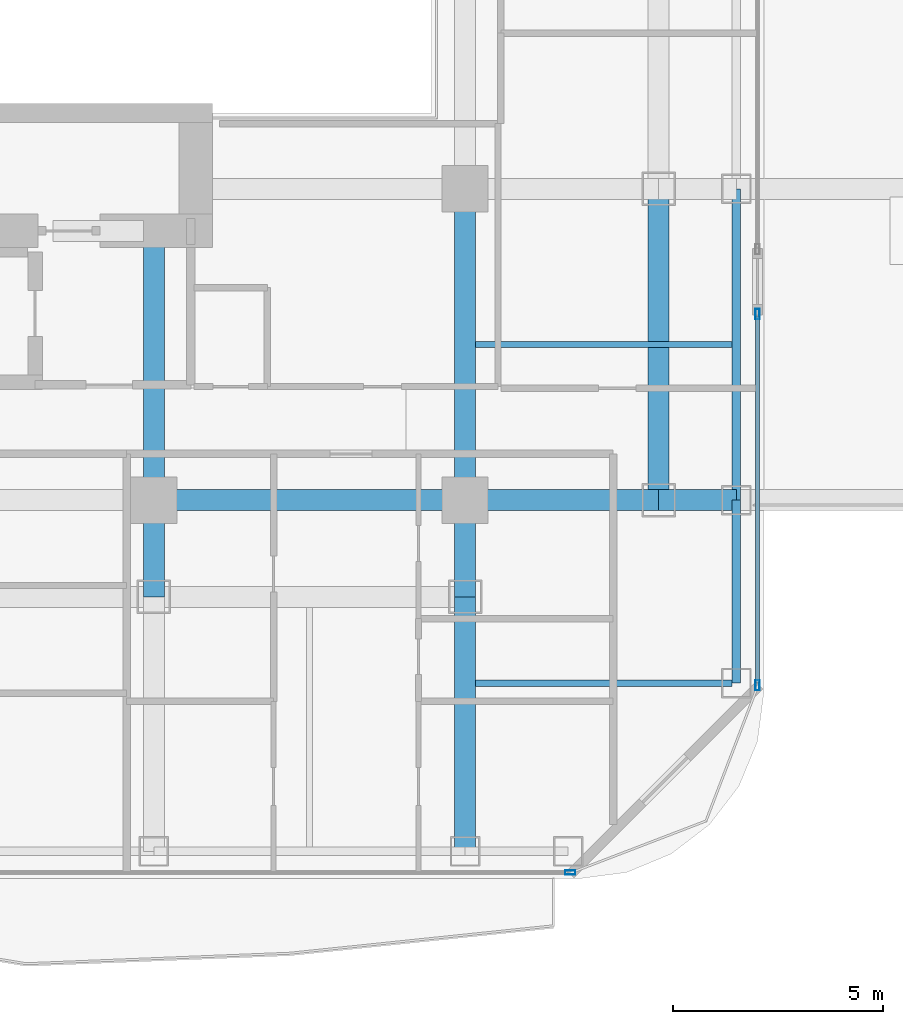
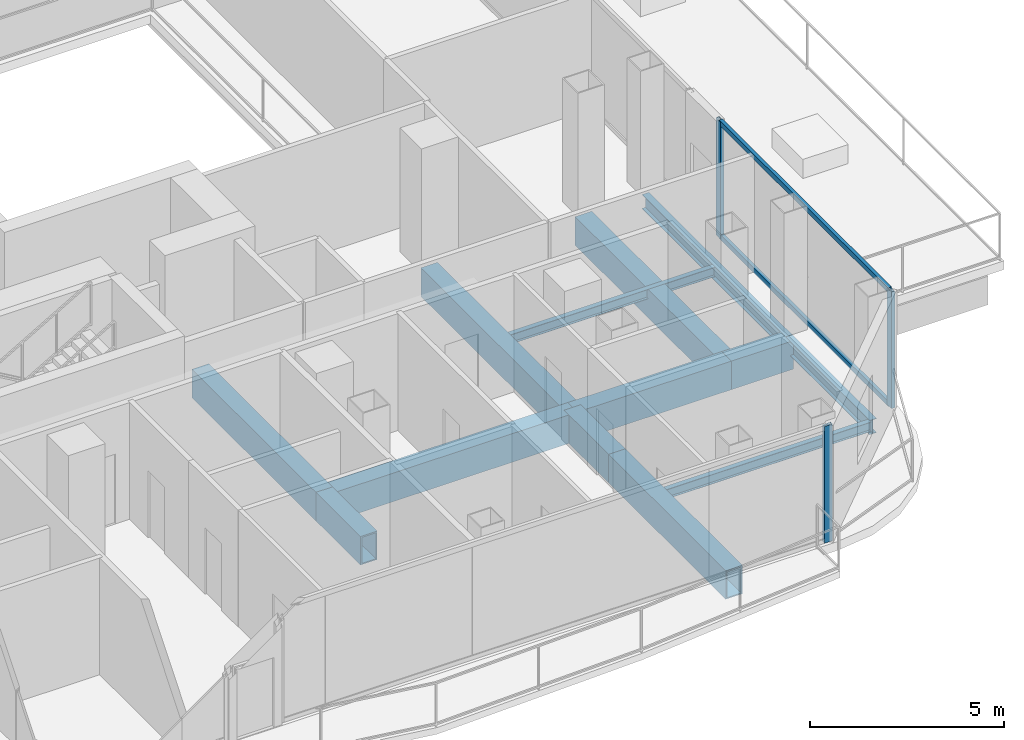
# One storey, part 7 of 27: 13 beams, 5 members, 2 elements without a shape of their own.
"""IFC4 building model written with IfcOpenShell, lengths in metres."""

import ifcopenshell
import ifcopenshell.guid

model = None  # the IFC model being written
_history = None  # IfcOwnerHistory: only IFC2X3 demands one
_inside = {}  # id of a spatial element -> (the spatial element, [elements in it])
_under = {}  # id of a project, library or spatial element -> (it, [spatial elements below it])
_declared = {}  # id of a project -> (the project, [libraries it declares])
_typed = {}  # id of a type object -> (the type object, [elements of that type])
_made_of = {}  # id of a material, layer set ... -> (it, [elements and type objects made of it])


def new_model(schema):
    """Start an empty IFC model of exactly this schema.

    Asked for "IFC4X3", IfcOpenShell would pick the latest addendum, in which some entities
    have other attributes; the version numbers below select the first issue.
    IFC2X3 requires an IfcOwnerHistory on every rooted entity: one is made here for all.
    """
    global model, _history
    if schema == "IFC4X3":
        model = ifcopenshell.file(schema_version=(4, 3, 0, 0))
    else:
        model = ifcopenshell.file(schema=schema)
    _inside.clear()
    _under.clear()
    _declared.clear()
    _typed.clear()
    _made_of.clear()
    _history = None
    if model.schema == "IFC2X3":
        org = make("IfcOrganization", Name="unknown")
        user = make(
            "IfcPersonAndOrganization",
            ThePerson=make("IfcPerson", FamilyName="unknown"),
            TheOrganization=org,
        )
        app = make(
            "IfcApplication",
            ApplicationDeveloper=org,
            Version="unknown",
            ApplicationFullName="unknown",
            ApplicationIdentifier="unknown",
        )
        _history = make(
            "IfcOwnerHistory",
            OwningUser=user,
            OwningApplication=app,
            ChangeAction="ADDED",
            CreationDate=0,
        )
    return model


def make(cls, **values):
    """One entity of the class cls with the attributes given. An attribute that is None is left unset."""
    return model.create_entity(
        cls, **{name: value for name, value in values.items() if value is not None}
    )


def rooted(cls, **values):
    """An entity with a GlobalId (a new one), such as an element, a storey or a relation."""
    return make(cls, GlobalId=ifcopenshell.guid.new(), OwnerHistory=_history, **values)


def si_unit(unit_type, name, prefix=None):
    """IfcSIUnit, for example si_unit("LENGTHUNIT", "METRE", prefix="MILLI")."""
    return make("IfcSIUnit", UnitType=unit_type, Prefix=prefix, Name=name)


def assignment(units):
    """IfcUnitAssignment: the units of a project."""
    return None if units is None else make("IfcUnitAssignment", Units=units)


def point(xyz):
    """IfcCartesianPoint."""
    return None if xyz is None else make("IfcCartesianPoint", Coordinates=xyz)


def direction(xyz):
    """IfcDirection."""
    return None if xyz is None else make("IfcDirection", DirectionRatios=xyz)


def frame(location, z_axis=None, x_axis=None):
    """IfcAxis2Placement3D, a coordinate frame: its origin and axes. An axis left out is left unset."""
    return make(
        "IfcAxis2Placement3D",
        Location=point(location),
        Axis=direction(z_axis),
        RefDirection=direction(x_axis),
    )


def frame_2d(location, x_axis=None):
    """IfcAxis2Placement2D, a coordinate frame in the plane: its origin and x axis."""
    return make(
        "IfcAxis2Placement2D", Location=point(location), RefDirection=direction(x_axis)
    )


def origin():
    """The frame at (0, 0, 0) with its axes left unset."""
    return frame((0.0, 0.0, 0.0))


def origin_2d():
    """The frame at (0, 0) in the plane with its x axis left unset."""
    return frame_2d((0.0, 0.0))


def place(relative_to, where):
    """IfcLocalPlacement: puts the frame where relative to a parent placement (None: the world)."""
    return make(
        "IfcLocalPlacement", PlacementRelTo=relative_to, RelativePlacement=where
    )


def context(
    kind, dimensions, precision=None, world=None, true_north=None, identifier=None
):
    """IfcGeometricRepresentationContext, for example the 3D "Model" context."""
    return make(
        "IfcGeometricRepresentationContext",
        ContextIdentifier=identifier,
        ContextType=kind,
        CoordinateSpaceDimension=dimensions,
        Precision=precision,
        WorldCoordinateSystem=world,
        TrueNorth=true_north,
    )


def subcontext(parent, identifier, kind, view, scale=None):
    """IfcGeometricRepresentationSubContext, for example "Body" below "Model"."""
    return make(
        "IfcGeometricRepresentationSubContext",
        ContextIdentifier=identifier,
        ContextType=kind,
        ParentContext=parent,
        TargetScale=scale,
        TargetView=view,
    )


def project(units=None, contexts=None):
    """IfcProject with its units and contexts."""
    return rooted(
        "IfcProject",
        Name="project",
        RepresentationContexts=contexts,
        UnitsInContext=assignment(units),
    )


def spatial(cls, under=None, at=None, **own):
    """A site, building, storey or space (cls), placed at a placement, below another one or the project."""
    s = rooted(cls, ObjectPlacement=at, **own)
    if under is not None:
        _under.setdefault(under.id(), (under, []))[1].append(s)
    return s


def profile(cls, at=None, kind="AREA", **sizes):
    """A parametric profile (cls). Its sizes go by their IFC names, for example OverallWidth=200.0."""
    return make(cls, ProfileType=kind, Position=at, **sizes)


def hollow_rectangle(**sizes):
    """IfcRectangleHollowProfileDef."""
    return profile("IfcRectangleHollowProfileDef", **sizes)


def i_section(**sizes):
    """IfcIShapeProfileDef."""
    return profile("IfcIShapeProfileDef", **sizes)


def extrude(swept, where, along, depth):
    """IfcExtrudedAreaSolid: the profile swept, set in the frame where, extruded along a direction by depth."""
    return make(
        "IfcExtrudedAreaSolid",
        SweptArea=swept,
        Position=where,
        ExtrudedDirection=direction(along),
        Depth=depth,
    )


def shape(context_of_items, identifier, shape_type, items):
    """IfcShapeRepresentation: the items that make up one representation, for example the "Body"."""
    return make(
        "IfcShapeRepresentation",
        ContextOfItems=context_of_items,
        RepresentationIdentifier=identifier,
        RepresentationType=shape_type,
        Items=items,
    )


def material(Name=None, Category=None):
    """IfcMaterial."""
    return make("IfcMaterial", Name=Name, Category=Category)


def layer(
    of_material, thickness, ventilated=None, Name=None, Category=None, Priority=None
):
    """IfcMaterialLayer: one layer of a wall or slab, of a material (None: an air gap)."""
    return make(
        "IfcMaterialLayer",
        Material=of_material,
        LayerThickness=thickness,
        IsVentilated=ventilated,
        Name=Name,
        Category=Category,
        Priority=Priority,
    )


def layer_set(layers, Name=None):
    """IfcMaterialLayerSet."""
    return make("IfcMaterialLayerSet", MaterialLayers=layers, LayerSetName=Name)


def material_profile(
    of_material, cross_section, Name=None, Category=None, Priority=None
):
    """IfcMaterialProfile: a cross section and its material."""
    return make(
        "IfcMaterialProfile",
        Name=Name,
        Material=of_material,
        Profile=cross_section,
        Priority=Priority,
        Category=Category,
    )


def profile_set(profiles, Name=None, composite=None):
    """IfcMaterialProfileSet."""
    return make(
        "IfcMaterialProfileSet",
        Name=Name,
        MaterialProfiles=profiles,
        CompositeProfile=composite,
    )


def made_of(thing, what):
    """Note that an element or type object is made of a material, layer set ...; save() writes the relation."""
    if what is not None:
        _made_of.setdefault(what.id(), (what, []))[1].append(thing)
    return thing


def type_object(cls, material=None, **own):
    """A type object (cls), such as IfcWallType, which elements share."""
    return made_of(rooted(cls, **own), material)


def element(
    cls,
    number,
    at=None,
    inside=None,
    cuts=None,
    type_object=None,
    material=None,
    context=None,
    identifier="Body",
    shape_type=None,
    held_by="IfcProductDefinitionShape",
    body=None,
    shapes=None,
    **own,
):
    """One element of the class cls, such as IfcWall. Its Tag is "e" and its number.

    at: its placement. inside: the storey or other place that contains it. cuts: it is an
    opening in that element (IfcRelVoidsElement). A single representation is given by context,
    identifier, shape_type and body (its items); several are given by shapes. held_by: the class
    of the entity that holds the representations. save() writes the other relations.
    """
    e = rooted(cls, Tag="e%d" % number, ObjectPlacement=at, **own)
    if body is not None:
        shapes = [shape(context, identifier, shape_type, body)]
    if shapes is not None:
        e.Representation = make(held_by, Representations=shapes)
    if inside is not None:
        _inside.setdefault(inside.id(), (inside, []))[1].append(e)
    if cuts is not None:
        rooted(
            "IfcRelVoidsElement", RelatingBuildingElement=cuts, RelatedOpeningElement=e
        )
    if type_object is not None:
        _typed.setdefault(type_object.id(), (type_object, []))[1].append(e)
    return made_of(e, material)


def aggregate(whole, parts):
    """IfcRelAggregates: a whole, such as a stair, and the parts it consists of."""
    return rooted("IfcRelAggregates", RelatingObject=whole, RelatedObjects=parts)


def save(model, path):
    """Write the relations noted so far, then the file.

    IfcRelAggregates (storeys below a building ...), IfcRelContainedInSpatialStructure (elements
    in a storey), IfcRelDefinesByType, IfcRelAssociatesMaterial and IfcRelDeclares: one each for
    every whole, place, type object, material and project.
    """
    for whole, parts in _under.values():
        aggregate(whole, parts)
    for where, things in _inside.values():
        rooted(
            "IfcRelContainedInSpatialStructure",
            RelatedElements=things,
            RelatingStructure=where,
        )
    for kind, things in _typed.values():
        rooted("IfcRelDefinesByType", RelatedObjects=things, RelatingType=kind)
    for what, things in _made_of.values():
        rooted("IfcRelAssociatesMaterial", RelatedObjects=things, RelatingMaterial=what)
    for by, libraries in _declared.values():
        rooted("IfcRelDeclares", RelatingContext=by, RelatedDefinitions=libraries)
    model.write(path)


model = new_model("IFC4")

# Units and contexts
model_context = context("Model", 3, precision=1e-05, world=origin(), true_north=direction((0.0, 1.0)))
body_context = subcontext(model_context, "Body", "Model", "MODEL_VIEW")
ifc_project = project(units=[si_unit("LENGTHUNIT", "METRE"), si_unit("AREAUNIT", "SQUARE_METRE"), si_unit("VOLUMEUNIT", "CUBIC_METRE"), si_unit("PLANEANGLEUNIT", "RADIAN"), si_unit("MASSUNIT", "GRAM", prefix="KILO")], contexts=[model_context])

# Site, building, storey
site_placement = place(None, origin())
site = spatial("IfcSite", under=ifc_project, at=site_placement, CompositionType="ELEMENT")
building_placement = place(site_placement, origin())
building = spatial("IfcBuilding", under=site, at=building_placement, Name="Khorvyn Point Tower", CompositionType="ELEMENT")
storey_placement = place(building_placement, frame((0.0, 0.0, 168.0)))
storey = spatial("IfcBuildingStorey", under=building, at=storey_placement, Name="L41", CompositionType="ELEMENT", Elevation=168.0)

# Curtain wall, member
ifc_material_1 = material(Name="Anodised aluminium 6063-T6 and laminated Low-E glass", Category="aluminium")
ifc_layer = layer(ifc_material_1, 0.18994140625)
ifc_layer_set = layer_set([ifc_layer], Name="Stick-Built Acoustic Curtain Wall CW-SYS-03")
curtain_wall_type = type_object("IfcCurtainWallType", Name="Stick-Built Acoustic Curtain Wall CW-SYS-03", PredefinedType="NOTDEFINED", material=ifc_layer_set)
curtain_wall_1_placement = place(storey_placement, origin())
curtain_wall_1 = element("IfcCurtainWall", 1, at=curtain_wall_1_placement, inside=storey, type_object=curtain_wall_type, Name="Curtain Wall", PredefinedType="NOTDEFINED")
ifc_material_2 = material(Name="Anodised aluminium 6063-T6", Category="aluminium")
ifc_material_profile_1 = material_profile(ifc_material_2, hollow_rectangle(XDim=0.10009765625, YDim=0.239990234375, WallThickness=0.0048828125, at=origin_2d()))
ifc_profile_set_1 = profile_set([ifc_material_profile_1], Name="Anodised aluminium 6063-T6 ALU-MUL-100x240")
member_type_1 = type_object("IfcMemberType", Name="Anodised Aluminium 6063-T6 Mullion ALU-MUL-100x240", PredefinedType="MULLION", material=ifc_profile_set_1)
member_1_placement = place(storey_placement, frame((17.300048828125, -23.64990234375, 0.0), z_axis=(0.0, 0.0, 1.0), x_axis=(0.0, -1.0, 0.0)))
member_1 = element("IfcMember", 2, at=member_1_placement, type_object=member_type_1, Name="Transom", PredefinedType="MULLION", context=body_context, shape_type="SweptSolid", body=[
    extrude(hollow_rectangle(XDim=0.10009765625, YDim=0.239990234375, WallThickness=0.0048828125, at=origin_2d()), origin(), (0.0, 0.0, 1.0), 3.679931640625),
])
aggregate(curtain_wall_1, [member_1])

# Curtain wall, members
curtain_wall_2_placement = place(storey_placement, origin())
curtain_wall_2 = element("IfcCurtainWall", 3, at=curtain_wall_2_placement, inside=storey, type_object=curtain_wall_type, Name="Curtain Wall", PredefinedType="NOTDEFINED")
member_2_placement = place(storey_placement, frame((21.75, -10.375, 0.0), z_axis=(0.0, 0.0, 1.0), x_axis=(1.0, 0.0, 0.0)))
member_2 = element("IfcMember", 4, at=member_2_placement, type_object=member_type_1, Name="Transom", PredefinedType="MULLION", context=body_context, shape_type="SweptSolid", body=[
    extrude(hollow_rectangle(XDim=0.10009765625, YDim=0.239990234375, WallThickness=0.0048828125, at=origin_2d()), origin(), (0.0, 0.0, 1.0), 3.679931640625),
])
member_3_placement = place(storey_placement, frame((21.75, -19.199951171875, 0.0), z_axis=(0.0, 0.0, 1.0), x_axis=(1.0, 0.0, 0.0)))
member_3 = element("IfcMember", 5, at=member_3_placement, type_object=member_type_1, Name="Transom", PredefinedType="MULLION", context=body_context, shape_type="SweptSolid", body=[
    extrude(hollow_rectangle(XDim=0.10009765625, YDim=0.239990234375, WallThickness=0.0048828125, at=origin_2d()), origin(), (0.0, 0.0, 1.0), 3.679931640625),
])
ifc_material_profile_2 = material_profile(ifc_material_2, hollow_rectangle(XDim=0.10009765625, YDim=0.159912109375, WallThickness=0.00439453125, at=origin_2d()))
ifc_profile_set_2 = profile_set([ifc_material_profile_2], Name="Anodised aluminium 6063-T6 ALU-TRN-100x160")
member_type_2 = type_object("IfcMemberType", Name="Anodised Aluminium 6063-T6 Transom ALU-TRN-100x160", PredefinedType="USERDEFINED", material=ifc_profile_set_2)
member_4_placement = place(storey_placement, frame((21.75, -10.425048828125, 0.050048828125), z_axis=(0.0, -1.0, 0.0), x_axis=(1.0, 0.0, 0.0)))
member_4 = element("IfcMember", 6, at=member_4_placement, type_object=member_type_2, Name="Transom", ObjectType="TRANSOM", PredefinedType="USERDEFINED", context=body_context, shape_type="SweptSolid", body=[
    extrude(hollow_rectangle(XDim=0.10009765625, YDim=0.159912109375, WallThickness=0.00439453125, at=origin_2d()), origin(), (0.0, 0.0, 1.0), 8.724853515625),
])
member_5_placement = place(storey_placement, frame((21.75, -10.425048828125, 3.6298828125), z_axis=(0.0, -1.0, 0.0), x_axis=(1.0, 0.0, 0.0)))
member_5 = element("IfcMember", 7, at=member_5_placement, type_object=member_type_2, Name="Transom", ObjectType="TRANSOM", PredefinedType="USERDEFINED", context=body_context, shape_type="SweptSolid", body=[
    extrude(hollow_rectangle(XDim=0.10009765625, YDim=0.159912109375, WallThickness=0.00439453125, at=origin_2d()), origin(), (0.0, 0.0, 1.0), 8.724853515625),
])
aggregate(curtain_wall_2, [member_2, member_3, member_4, member_5])

# Beams
ifc_material_3 = material(Name="Steel S355", Category="steel")
ifc_material_profile_3 = material_profile(ifc_material_3, i_section(OverallWidth=0.14990234375, OverallDepth=0.300048828125, WebThickness=0.006591796875, FlangeThickness=0.009033203125, at=origin_2d()))
ifc_profile_set_3 = profile_set([ifc_material_profile_3], Name="Steel S355 H300x150x6.5x9")
beam_type_1 = type_object("IfcBeamType", Name="Steel S355 Joist H300x150x6.5x9", PredefinedType="JOIST", material=ifc_profile_set_3)
for number, where, z_axis, x_axis, name in (
    (8, (15.050048828125, -11.10009765625, -0.429931640625), (1.0, 0.0, 0.0), (0.0, 1.0, 0.0), "Beam"),
    (9, (15.050048828125, -19.14990234375, -0.429931640625), (1.0, 0.0, 0.0), (0.0, 1.0, 0.0), "Beam"),
):
    element("IfcBeam", number, at=place(storey_placement, frame(where, z_axis=z_axis, x_axis=x_axis)), inside=storey, type_object=beam_type_1, Name=name, PredefinedType="JOIST", context=body_context, shape_type="SweptSolid", body=[
        extrude(i_section(OverallWidth=0.14990234375, OverallDepth=0.300048828125, WebThickness=0.006591796875, FlangeThickness=0.009033203125, at=origin_2d()), origin(), (0.0, 0.0, 1.0), 6.099853515625),
    ])
ifc_material_profile_4 = material_profile(ifc_material_3, i_section(OverallWidth=0.199951171875, OverallDepth=0.449951171875, WebThickness=0.009033203125, FlangeThickness=0.013916015625, at=origin_2d()))
ifc_profile_set_4 = profile_set([ifc_material_profile_4], Name="Steel S355 H450x200x9x14")
beam_type_2 = type_object("IfcBeamType", Name="Steel S355 Spandrel H450x200x9x14", PredefinedType="SPANDREL", material=ifc_profile_set_4)
beam_1_placement = place(storey_placement, frame((21.25, -19.14990234375, -0.5048828125), z_axis=(0.0, 1.0, 0.0), x_axis=(-1.0, 0.0, 0.0)))
element("IfcBeam", 10, at=beam_1_placement, inside=storey, type_object=beam_type_2, Name="Beam", PredefinedType="SPANDREL", context=body_context, shape_type="SweptSolid", body=[
    extrude(i_section(OverallWidth=0.199951171875, OverallDepth=0.449951171875, WebThickness=0.009033203125, FlangeThickness=0.013916015625, at=origin_2d()), origin(), (0.0, 0.0, 1.0), 4.349853515625),
])
beam_2_placement = place(storey_placement, frame((21.25, -14.800048828125, -0.5048828125), z_axis=(0.0, 1.0, 0.0), x_axis=(-1.0, 0.0, 0.0)))
element("IfcBeam", 11, at=beam_2_placement, inside=storey, type_object=beam_type_2, Name="Beam", PredefinedType="SPANDREL", context=body_context, shape_type="SweptSolid", body=[
    extrude(i_section(OverallWidth=0.199951171875, OverallDepth=0.449951171875, WebThickness=0.009033203125, FlangeThickness=0.013916015625, at=origin_2d()), origin(), (0.0, 0.0, 1.0), 7.400146484375),
])
ifc_material_4 = material(Name="Steel S450", Category="steel")
ifc_material_profile_5 = material_profile(ifc_material_4, hollow_rectangle(XDim=0.5, YDim=0.89990234375, WallThickness=0.0400390625, at=origin_2d()))
ifc_profile_set_5 = profile_set([ifc_material_profile_5], Name="Steel S450 BOX900x500x40")
beam_type_3 = type_object("IfcBeamType", Name="Steel S450 Beam BOX900x500x40", PredefinedType="BEAM", material=ifc_profile_set_5)
beam_3_placement = place(storey_placement, frame((7.39990234375, -14.800048828125, -0.72998046875), z_axis=(1.0, 0.0, 0.0), x_axis=(0.0, 1.0, 0.0)))
element("IfcBeam", 12, at=beam_3_placement, inside=storey, type_object=beam_type_3, Name="L41 Radial Transfer Girder", PredefinedType="BEAM", context=body_context, shape_type="SweptSolid", body=[
    extrude(hollow_rectangle(XDim=0.5, YDim=0.89990234375, WallThickness=0.0400390625, at=origin_2d()), origin(), (0.0, 0.0, 1.0), 7.400146484375),
])
beam_4_placement = place(storey_placement, frame((14.800048828125, -14.800048828125, -0.72998046875), z_axis=(1.0, 0.0, 0.0), x_axis=(0.0, 1.0, 0.0)))
element("IfcBeam", 13, at=beam_4_placement, inside=storey, type_object=beam_type_3, Name="L41 Radial Transfer Girder", PredefinedType="BEAM", context=body_context, shape_type="SweptSolid", body=[
    extrude(hollow_rectangle(XDim=0.5, YDim=0.89990234375, WallThickness=0.0400390625, at=origin_2d()), origin(), (0.0, 0.0, 1.0), 4.599853515625),
])
beam_5_placement = place(storey_placement, frame((19.39990234375, -14.800048828125, -0.72998046875), z_axis=(1.0, 0.0, 0.0), x_axis=(0.0, 1.0, 0.0)))
element("IfcBeam", 14, at=beam_5_placement, inside=storey, type_object=beam_type_3, Name="L41 Radial Transfer Girder", PredefinedType="BEAM", context=body_context, shape_type="SweptSolid", body=[
    extrude(hollow_rectangle(XDim=0.5, YDim=0.89990234375, WallThickness=0.0400390625, at=origin_2d()), origin(), (0.0, 0.0, 1.0), 1.85009765625),
])
beam_6_placement = place(storey_placement, frame((14.800048828125, -23.14990234375, -0.72998046875), z_axis=(0.0, 1.0, 0.0), x_axis=(-1.0, 0.0, 0.0)))
element("IfcBeam", 15, at=beam_6_placement, inside=storey, type_object=beam_type_3, Name="L41 Radial Transfer Girder", PredefinedType="BEAM", context=body_context, shape_type="SweptSolid", body=[
    extrude(hollow_rectangle(XDim=0.5, YDim=0.89990234375, WallThickness=0.0400390625, at=origin_2d()), origin(), (0.0, 0.0, 1.0), 6.0498046875),
])
beam_7_placement = place(storey_placement, frame((14.800048828125, -17.10009765625, -0.72998046875), z_axis=(0.0, 1.0, 0.0), x_axis=(-1.0, 0.0, 0.0)))
element("IfcBeam", 16, at=beam_7_placement, inside=storey, type_object=beam_type_3, Name="L41 Radial Transfer Girder", PredefinedType="BEAM", context=body_context, shape_type="SweptSolid", body=[
    extrude(hollow_rectangle(XDim=0.5, YDim=0.89990234375, WallThickness=0.0400390625, at=origin_2d()), origin(), (0.0, 0.0, 1.0), 2.300048828125),
])
beam_8_placement = place(storey_placement, frame((14.800048828125, -14.800048828125, -0.72998046875), z_axis=(0.0, 1.0, 0.0), x_axis=(-1.0, 0.0, 0.0)))
element("IfcBeam", 17, at=beam_8_placement, inside=storey, type_object=beam_type_3, Name="L41 Radial Transfer Girder", PredefinedType="BEAM", context=body_context, shape_type="SweptSolid", body=[
    extrude(hollow_rectangle(XDim=0.5, YDim=0.89990234375, WallThickness=0.0400390625, at=origin_2d()), origin(), (0.0, 0.0, 1.0), 7.400146484375),
])
beam_9_placement = place(storey_placement, frame((7.39990234375, -17.10009765625, -0.72998046875), z_axis=(0.0, 1.0, 0.0), x_axis=(-1.0, 0.0, 0.0)))
element("IfcBeam", 18, at=beam_9_placement, inside=storey, type_object=beam_type_3, Name="Beam", PredefinedType="BEAM", context=body_context, shape_type="SweptSolid", body=[
    extrude(hollow_rectangle(XDim=0.5, YDim=0.89990234375, WallThickness=0.0400390625, at=origin_2d()), origin(), (0.0, 0.0, 1.0), 2.300048828125),
])
beam_10_placement = place(storey_placement, frame((7.39990234375, -14.800048828125, -0.72998046875), z_axis=(0.0, 1.0, 0.0), x_axis=(-1.0, 0.0, 0.0)))
element("IfcBeam", 19, at=beam_10_placement, inside=storey, type_object=beam_type_3, Name="Beam", PredefinedType="BEAM", context=body_context, shape_type="SweptSolid", body=[
    extrude(hollow_rectangle(XDim=0.5, YDim=0.89990234375, WallThickness=0.0400390625, at=origin_2d()), origin(), (0.0, 0.0, 1.0), 6.400146484375),
])
beam_11_placement = place(storey_placement, frame((19.39990234375, -14.800048828125, -0.72998046875), z_axis=(0.0, 1.0, 0.0), x_axis=(-1.0, 0.0, 0.0)))
element("IfcBeam", 20, at=beam_11_placement, inside=storey, type_object=beam_type_3, Name="Beam", PredefinedType="BEAM", context=body_context, shape_type="SweptSolid", body=[
    extrude(hollow_rectangle(XDim=0.5, YDim=0.89990234375, WallThickness=0.0400390625, at=origin_2d()), origin(), (0.0, 0.0, 1.0), 7.400146484375),
])

save(model, "model.ifc")
